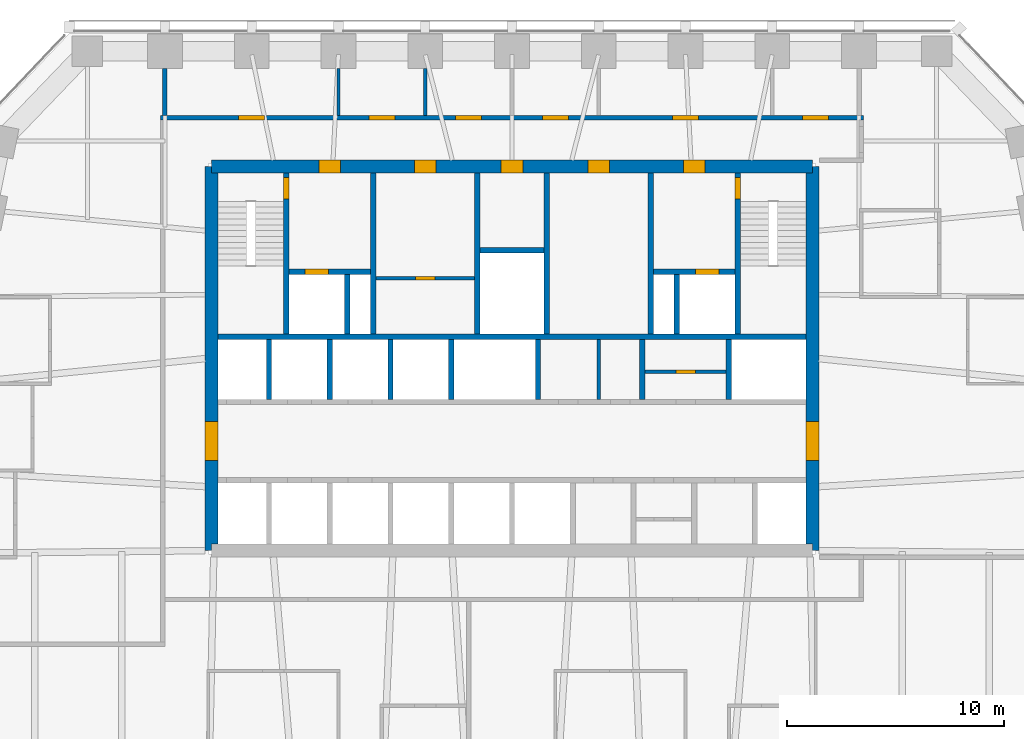
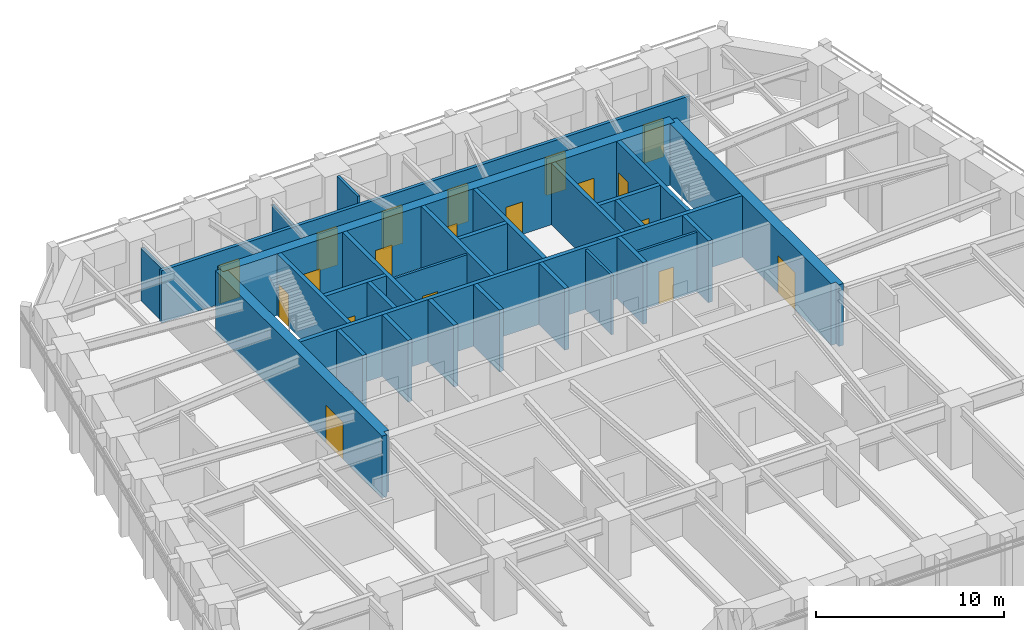
# One storey, part 7 of 10: 29 walls, 19 doors, 19 openings.
"""IFC4 building model written with IfcOpenShell, lengths in metres."""

from ifc_helpers import new_model, si_unit, direction, frame, frame_2d, origin, place, context, subcontext, project, spatial, polyline, rectangle, outline, extrude, material, layer, layer_set, type_object, element, fill, save


model = new_model("IFC4")

# Units and contexts
model_context = context("Model", 3, precision=1e-05, world=origin(), true_north=direction((0.0, 1.0)))
body_context = subcontext(model_context, "Body", "Model", "MODEL_VIEW")
ifc_project = project(units=[si_unit("LENGTHUNIT", "METRE"), si_unit("AREAUNIT", "SQUARE_METRE"), si_unit("VOLUMEUNIT", "CUBIC_METRE"), si_unit("PLANEANGLEUNIT", "RADIAN"), si_unit("MASSUNIT", "GRAM", prefix="KILO")], contexts=[model_context])

# Site, building, storey
site_placement = place(None, origin())
site = spatial("IfcSite", under=ifc_project, at=site_placement, CompositionType="ELEMENT")
building_placement = place(site_placement, origin())
building = spatial("IfcBuilding", under=site, at=building_placement, Name="Isbrekke Arena Tower", CompositionType="ELEMENT")
storey_placement = place(building_placement, frame((0.0, 0.0, 226.0)))
storey = spatial("IfcBuildingStorey", under=building, at=storey_placement, Name="L52", CompositionType="ELEMENT", Elevation=226.0)

# Wall, opening, door
ifc_material_1 = material(Name="Concrete B55 (C55/67)", Category="concrete")
ifc_layer_1 = layer(ifc_material_1, 0.60009765625)
ifc_layer_set_1 = layer_set([ifc_layer_1], Name="CW4 CORE WALL 600")
wall_type_1 = type_object("IfcWallType", Name="CW4 CORE WALL 600", PredefinedType="SHEAR", material=ifc_layer_set_1)
wall_1_placement = place(storey_placement, frame((13.85009765625, 6.14990234375, 0.0), z_axis=(0.0, 0.0, 1.0), x_axis=(0.0, 1.0, 0.0)))
wall_1 = element("IfcWall", 1, at=wall_1_placement, inside=storey, type_object=wall_type_1, Name="Core wall E L52", PredefinedType="SHEAR", context=body_context, shape_type="SweptSolid", body=[
    extrude(outline(polyline([(0.0, -0.300048828125), (17.7001953125, -0.300048828125), (17.7001953125, 0.0), (17.400146484375, 0.0), (17.400146484375, 0.300048828125), (0.300048828125, 0.300048828125), (0.300048828125, 0.0), (0.0, 0.0), (0.0, -0.300048828125)])), origin(), (0.0, 0.0, 1.0), 4.0),
])
opening_1_placement = place(wall_1_placement, frame((4.14990234375, 0.0, 0.0)))
opening_1 = element("IfcOpeningElement", 2, at=opening_1_placement, cuts=wall_1, Name="Opening D1", PredefinedType="OPENING", context=body_context, shape_type="SweptSolid", body=[
    extrude(rectangle(XDim=1.800048828125, YDim=2.39990234375, at=frame_2d((0.89990234375, 1.199951171875))), frame((0.0, 0.31494140625, 0.0), z_axis=(0.0, -1.0, 0.0), x_axis=(1.0, 0.0, 0.0)), (0.0, 0.0, 1.0), 0.6298828125),
])
ifc_material_2 = material(Name="Steel-framed glazed fire door", Category="steel")
door_type_1 = type_object("IfcDoorType", Name="D1 CORE LOBBY DOOR 1800 x 2400", OperationType="DOUBLE_DOOR_SINGLE_SWING", PredefinedType="DOOR", material=ifc_material_2)
door_1_placement = place(opening_1_placement, origin())
door_1 = element("IfcDoor", 3, at=door_1_placement, inside=storey, type_object=door_type_1, Name="D1 lift lobby door east L52", OperationType="DOUBLE_DOOR_SINGLE_SWING", OverallHeight=2.39990234375, OverallWidth=1.800048828125, PredefinedType="DOOR", context=body_context, shape_type="SweptSolid", body=[
    extrude(rectangle(XDim=1.800048828125, YDim=2.39990234375, at=frame_2d((0.89990234375, 1.199951171875))), frame((0.0, 0.2998046875, 0.0), z_axis=(0.0, -1.0, 0.0), x_axis=(1.0, 0.0, 0.0)), (0.0, 0.0, 1.0), 0.599609375),
])
fill(opening_1, door_1)

# Wall, openings, doors
wall_2_placement = place(storey_placement, frame((13.85009765625, 23.85009765625, 0.0), z_axis=(0.0, 0.0, 1.0), x_axis=(-1.0, 0.0, 0.0)))
wall_2 = element("IfcWall", 4, at=wall_2_placement, inside=storey, type_object=wall_type_1, Name="Core wall N L52", PredefinedType="SHEAR", context=body_context, shape_type="SweptSolid", body=[
    extrude(rectangle(XDim=27.7001953125, YDim=0.60009765625, at=frame_2d((13.85009765625, 0.0))), origin(), (0.0, 0.0, 1.0), 4.0),
])
opening_2_placement = place(wall_2_placement, frame((21.75, 0.0, 0.0)))
opening_2 = element("IfcOpeningElement", 5, at=opening_2_placement, cuts=wall_2, Name="Opening D3", PredefinedType="OPENING", context=body_context, shape_type="SweptSolid", body=[
    extrude(rectangle(XDim=1.0, YDim=2.10009765625, at=frame_2d((0.5, 1.050048828125))), frame((0.0, 0.31494140625, 0.0), z_axis=(0.0, -1.0, 0.0), x_axis=(1.0, 0.0, 0.0)), (0.0, 0.0, 1.0), 0.6298828125),
])
opening_3_placement = place(wall_2_placement, frame((4.949951171875, 0.0, 0.0)))
opening_3 = element("IfcOpeningElement", 6, at=opening_3_placement, cuts=wall_2, Name="Opening D3", PredefinedType="OPENING", context=body_context, shape_type="SweptSolid", body=[
    extrude(rectangle(XDim=1.0, YDim=2.10009765625, at=frame_2d((0.5, 1.050048828125))), frame((0.0, 0.31494140625, 0.0), z_axis=(0.0, -1.0, 0.0), x_axis=(1.0, 0.0, 0.0)), (0.0, 0.0, 1.0), 0.6298828125),
])
opening_4_placement = place(wall_2_placement, frame((17.35009765625, 0.0, 0.0)))
opening_4 = element("IfcOpeningElement", 7, at=opening_4_placement, cuts=wall_2, Name="Opening D4", PredefinedType="OPENING", context=body_context, shape_type="SweptSolid", body=[
    extrude(rectangle(XDim=1.0, YDim=2.10009765625, at=frame_2d((0.5, 1.050048828125))), frame((0.0, 0.31494140625, 0.0), z_axis=(0.0, -1.0, 0.0), x_axis=(1.0, 0.0, 0.0)), (0.0, 0.0, 1.0), 0.6298828125),
])
opening_5_placement = place(wall_2_placement, frame((13.35009765625, 0.0, 0.0)))
opening_5 = element("IfcOpeningElement", 8, at=opening_5_placement, cuts=wall_2, Name="Opening D4", PredefinedType="OPENING", context=body_context, shape_type="SweptSolid", body=[
    extrude(rectangle(XDim=1.0, YDim=2.10009765625, at=frame_2d((0.5, 1.050048828125))), frame((0.0, 0.31494140625, 0.0), z_axis=(0.0, -1.0, 0.0), x_axis=(1.0, 0.0, 0.0)), (0.0, 0.0, 1.0), 0.6298828125),
])
opening_6_placement = place(wall_2_placement, frame((9.35009765625, 0.0, 0.0)))
opening_6 = element("IfcOpeningElement", 9, at=opening_6_placement, cuts=wall_2, Name="Opening D4", PredefinedType="OPENING", context=body_context, shape_type="SweptSolid", body=[
    extrude(rectangle(XDim=1.0, YDim=2.10009765625, at=frame_2d((0.5, 1.050048828125))), frame((0.0, 0.31494140625, 0.0), z_axis=(0.0, -1.0, 0.0), x_axis=(1.0, 0.0, 0.0)), (0.0, 0.0, 1.0), 0.6298828125),
])
ifc_material_3 = material(Name="Steel fire door", Category="steel")
door_type_2 = type_object("IfcDoorType", Name="D3 FIRE LOBBY DOOR 1000 x 2100", OperationType="SINGLE_SWING_RIGHT", PredefinedType="DOOR", material=ifc_material_3)
door_2_placement = place(opening_2_placement, origin())
door_2 = element("IfcDoor", 10, at=door_2_placement, inside=storey, type_object=door_type_2, Name="D3 fire-fighting lobby door L52", OperationType="SINGLE_SWING_RIGHT", OverallHeight=2.10009765625, OverallWidth=1.0, PredefinedType="DOOR", context=body_context, shape_type="SweptSolid", body=[
    extrude(rectangle(XDim=1.0, YDim=2.10009765625, at=frame_2d((0.5, 1.050048828125))), frame((0.0, 0.2998046875, 0.0), z_axis=(0.0, -1.0, 0.0), x_axis=(1.0, 0.0, 0.0)), (0.0, 0.0, 1.0), 0.599609375),
])
fill(opening_2, door_2)
door_3_placement = place(opening_3_placement, origin())
door_3 = element("IfcDoor", 11, at=door_3_placement, inside=storey, type_object=door_type_2, Name="D3 fire-fighting lobby door L52", OperationType="SINGLE_SWING_RIGHT", OverallHeight=2.10009765625, OverallWidth=1.0, PredefinedType="DOOR", context=body_context, shape_type="SweptSolid", body=[
    extrude(rectangle(XDim=1.0, YDim=2.10009765625, at=frame_2d((0.5, 1.050048828125))), frame((0.0, 0.2998046875, 0.0), z_axis=(0.0, -1.0, 0.0), x_axis=(1.0, 0.0, 0.0)), (0.0, 0.0, 1.0), 0.599609375),
])
fill(opening_3, door_3)
ifc_material_4 = material(Name="Timber door", Category="wood")
door_type_3 = type_object("IfcDoorType", Name="D4 WC DOOR 1000 x 2100", OperationType="SINGLE_SWING_LEFT", PredefinedType="DOOR", material=ifc_material_4)
door_4_placement = place(opening_4_placement, origin())
door_4 = element("IfcDoor", 12, at=door_4_placement, inside=storey, type_object=door_type_3, Name="D4 wc female door L52", OperationType="SINGLE_SWING_LEFT", OverallHeight=2.10009765625, OverallWidth=1.0, PredefinedType="DOOR", context=body_context, shape_type="SweptSolid", body=[
    extrude(rectangle(XDim=1.0, YDim=2.10009765625, at=frame_2d((0.5, 1.050048828125))), frame((0.0, 0.2998046875, 0.0), z_axis=(0.0, -1.0, 0.0), x_axis=(1.0, 0.0, 0.0)), (0.0, 0.0, 1.0), 0.599609375),
])
fill(opening_4, door_4)
door_5_placement = place(opening_5_placement, origin())
door_5 = element("IfcDoor", 13, at=door_5_placement, inside=storey, type_object=door_type_3, Name="D4 accessible wc door L52", OperationType="SINGLE_SWING_LEFT", OverallHeight=2.10009765625, OverallWidth=1.0, PredefinedType="DOOR", context=body_context, shape_type="SweptSolid", body=[
    extrude(rectangle(XDim=1.0, YDim=2.10009765625, at=frame_2d((0.5, 1.050048828125))), frame((0.0, 0.2998046875, 0.0), z_axis=(0.0, -1.0, 0.0), x_axis=(1.0, 0.0, 0.0)), (0.0, 0.0, 1.0), 0.599609375),
])
fill(opening_5, door_5)
door_6_placement = place(opening_6_placement, origin())
door_6 = element("IfcDoor", 14, at=door_6_placement, inside=storey, type_object=door_type_3, Name="D4 wc male door L52", OperationType="SINGLE_SWING_LEFT", OverallHeight=2.10009765625, OverallWidth=1.0, PredefinedType="DOOR", context=body_context, shape_type="SweptSolid", body=[
    extrude(rectangle(XDim=1.0, YDim=2.10009765625, at=frame_2d((0.5, 1.050048828125))), frame((0.0, 0.2998046875, 0.0), z_axis=(0.0, -1.0, 0.0), x_axis=(1.0, 0.0, 0.0)), (0.0, 0.0, 1.0), 0.599609375),
])
fill(opening_6, door_6)

# Wall, opening, door
wall_3_placement = place(storey_placement, frame((-13.85009765625, 23.85009765625, 0.0), z_axis=(0.0, 0.0, 1.0), x_axis=(0.0, -1.0, 0.0)))
wall_3 = element("IfcWall", 15, at=wall_3_placement, inside=storey, type_object=wall_type_1, Name="Core wall W L52", PredefinedType="SHEAR", context=body_context, shape_type="SweptSolid", body=[
    extrude(outline(polyline([(0.0, -0.300048828125), (17.7001953125, -0.300048828125), (17.7001953125, 0.0), (17.400146484375, 0.0), (17.400146484375, 0.300048828125), (0.300048828125, 0.300048828125), (0.300048828125, 0.0), (0.0, 0.0), (0.0, -0.300048828125)])), origin(), (0.0, 0.0, 1.0), 4.0),
])
opening_7_placement = place(wall_3_placement, frame((11.75, 0.0, 0.0)))
opening_7 = element("IfcOpeningElement", 16, at=opening_7_placement, cuts=wall_3, Name="Opening D1", PredefinedType="OPENING", context=body_context, shape_type="SweptSolid", body=[
    extrude(rectangle(XDim=1.800048828125, YDim=2.39990234375, at=frame_2d((0.89990234375, 1.199951171875))), frame((0.0, 0.31494140625, 0.0), z_axis=(0.0, -1.0, 0.0), x_axis=(1.0, 0.0, 0.0)), (0.0, 0.0, 1.0), 0.6298828125),
])
door_7_placement = place(opening_7_placement, origin())
door_7 = element("IfcDoor", 17, at=door_7_placement, inside=storey, type_object=door_type_1, Name="D1 lift lobby door west L52", OperationType="DOUBLE_DOOR_SINGLE_SWING", OverallHeight=2.39990234375, OverallWidth=1.800048828125, PredefinedType="DOOR", context=body_context, shape_type="SweptSolid", body=[
    extrude(rectangle(XDim=1.800048828125, YDim=2.39990234375, at=frame_2d((0.89990234375, 1.199951171875))), frame((0.0, 0.2998046875, 0.0), z_axis=(0.0, -1.0, 0.0), x_axis=(1.0, 0.0, 0.0)), (0.0, 0.0, 1.0), 0.599609375),
])
fill(opening_7, door_7)

# Walls
ifc_material_5 = material(Name="Concrete B45 (C45/55)", Category="concrete")
ifc_layer_2 = layer(ifc_material_5, 0.25)
ifc_layer_set_2 = layer_set([ifc_layer_2], Name="CW6 SHAFT WALL 250")
wall_type_2 = type_object("IfcWallType", Name="CW6 SHAFT WALL 250", PredefinedType="SHEAR", material=ifc_layer_set_2)
wall_4_placement = place(storey_placement, frame((-13.550048828125, 16.0, 0.0), z_axis=(0.0, 0.0, 1.0), x_axis=(1.0, 0.0, 0.0)))
element("IfcWall", 18, at=wall_4_placement, inside=storey, type_object=wall_type_2, Name="Core wall NB L52", PredefinedType="SHEAR", context=body_context, shape_type="SweptSolid", body=[
    extrude(rectangle(XDim=27.10009765625, YDim=0.25, at=frame_2d((13.550048828125, 0.0))), origin(), (0.0, 0.0, 1.0), 4.0),
])
for number, where, z_axis, x_axis, name in (
    (19, (-11.199951171875, 13.125, 0.0), (0.0, 0.0, 1.0), (0.0, 1.0, 0.0), "Core wall SN01 L52"),
    (20, (-8.39990234375, 13.125, 0.0), (0.0, 0.0, 1.0), (0.0, 1.0, 0.0), "Core wall SN02 L52"),
    (21, (-5.60009765625, 13.125, 0.0), (0.0, 0.0, 1.0), (0.0, 1.0, 0.0), "Core wall SN03 L52"),
    (22, (-2.800048828125, 13.125, 0.0), (0.0, 0.0, 1.0), (0.0, 1.0, 0.0), "Core wall SN04 L52"),
    (23, (1.199951171875, 13.125, 0.0), (0.0, 0.0, 1.0), (0.0, 1.0, 0.0), "Core wall SN05 L52"),
    (24, (6.0, 13.125, 0.0), (0.0, 0.0, 1.0), (0.0, 1.0, 0.0), "Core wall SN06 L52"),
    (25, (10.0, 13.125, 0.0), (0.0, 0.0, 1.0), (0.0, 1.0, 0.0), "Core wall SN07 L52"),
):
    element("IfcWall", number, at=place(storey_placement, frame(where, z_axis=z_axis, x_axis=x_axis)), inside=storey, type_object=wall_type_2, Name=name, PredefinedType="SHEAR", context=body_context, shape_type="SweptSolid", body=[
        extrude(rectangle(XDim=2.75, YDim=0.25, at=frame_2d((1.375, 0.0))), origin(), (0.0, 0.0, 1.0), 4.0),
    ])

# Wall, opening, door
wall_5_placement = place(storey_placement, frame((-10.39990234375, 16.125, 0.0), z_axis=(0.0, 0.0, 1.0), x_axis=(0.0, 1.0, 0.0)))
wall_5 = element("IfcWall", 26, at=wall_5_placement, inside=storey, type_object=wall_type_2, Name="Core wall NV01 L52", PredefinedType="SHEAR", context=body_context, shape_type="SweptSolid", body=[
    extrude(rectangle(XDim=7.425048828125, YDim=0.25, at=frame_2d((3.71240234375, 0.0))), origin(), (0.0, 0.0, 1.0), 4.0),
])
opening_8_placement = place(wall_5_placement, frame((6.22509765625, 0.0, 0.0)))
opening_8 = element("IfcOpeningElement", 27, at=opening_8_placement, cuts=wall_5, Name="Opening D2", PredefinedType="OPENING", context=body_context, shape_type="SweptSolid", body=[
    extrude(rectangle(XDim=1.0, YDim=2.10009765625, at=frame_2d((0.5, 1.050048828125))), frame((0.0, 0.139892578125, 0.0), z_axis=(0.0, -1.0, 0.0), x_axis=(1.0, 0.0, 0.0)), (0.0, 0.0, 1.0), 0.27978515625),
])
ifc_material_6 = material(Name="Steel fire door", Category="steel")
door_type_4 = type_object("IfcDoorType", Name="D2 STAIR DOOR 1000 x 2100", OperationType="SINGLE_SWING_LEFT", PredefinedType="DOOR", material=ifc_material_6)
door_8_placement = place(opening_8_placement, origin())
door_8 = element("IfcDoor", 28, at=door_8_placement, inside=storey, type_object=door_type_4, Name="D2 stair door ST1 L52", OperationType="SINGLE_SWING_LEFT", OverallHeight=2.10009765625, OverallWidth=1.0, PredefinedType="DOOR", context=body_context, shape_type="SweptSolid", body=[
    extrude(rectangle(XDim=1.0, YDim=2.10009765625, at=frame_2d((0.5, 1.050048828125))), frame((0.0, 0.124755859375, 0.0), z_axis=(0.0, -1.0, 0.0), x_axis=(1.0, 0.0, 0.0)), (0.0, 0.0, 1.0), 0.24951171875),
])
fill(opening_8, door_8)

# Walls
for number, where, z_axis, x_axis, name in (
    (29, (-6.39990234375, 16.125, 0.0), (0.0, 0.0, 1.0), (0.0, 1.0, 0.0), "Core wall NV02 L52"),
    (30, (-1.60009765625, 16.125, 0.0), (0.0, 0.0, 1.0), (0.0, 1.0, 0.0), "Core wall NV03 L52"),
    (31, (1.60009765625, 16.125, 0.0), (0.0, 0.0, 1.0), (0.0, 1.0, 0.0), "Core wall NV04 L52"),
    (32, (6.39990234375, 16.125, 0.0), (0.0, 0.0, 1.0), (0.0, 1.0, 0.0), "Core wall NV05 L52"),
):
    element("IfcWall", number, at=place(storey_placement, frame(where, z_axis=z_axis, x_axis=x_axis)), inside=storey, type_object=wall_type_2, Name=name, PredefinedType="SHEAR", context=body_context, shape_type="SweptSolid", body=[
        extrude(rectangle(XDim=7.425048828125, YDim=0.25, at=frame_2d((3.71240234375, 0.0))), origin(), (0.0, 0.0, 1.0), 4.0),
    ])

# Wall, opening, door
wall_6_placement = place(storey_placement, frame((10.39990234375, 16.125, 0.0), z_axis=(0.0, 0.0, 1.0), x_axis=(0.0, 1.0, 0.0)))
wall_6 = element("IfcWall", 33, at=wall_6_placement, inside=storey, type_object=wall_type_2, Name="Core wall NV06 L52", PredefinedType="SHEAR", context=body_context, shape_type="SweptSolid", body=[
    extrude(rectangle(XDim=7.425048828125, YDim=0.25, at=frame_2d((3.71240234375, 0.0))), origin(), (0.0, 0.0, 1.0), 4.0),
])
opening_9_placement = place(wall_6_placement, frame((6.22509765625, 0.0, 0.0)))
opening_9 = element("IfcOpeningElement", 34, at=opening_9_placement, cuts=wall_6, Name="Opening D2", PredefinedType="OPENING", context=body_context, shape_type="SweptSolid", body=[
    extrude(rectangle(XDim=1.0, YDim=2.10009765625, at=frame_2d((0.5, 1.050048828125))), frame((0.0, 0.139892578125, 0.0), z_axis=(0.0, -1.0, 0.0), x_axis=(1.0, 0.0, 0.0)), (0.0, 0.0, 1.0), 0.27978515625),
])
door_9_placement = place(opening_9_placement, origin())
door_9 = element("IfcDoor", 35, at=door_9_placement, inside=storey, type_object=door_type_4, Name="D2 stair door ST2 L52", OperationType="SINGLE_SWING_LEFT", OverallHeight=2.10009765625, OverallWidth=1.0, PredefinedType="DOOR", context=body_context, shape_type="SweptSolid", body=[
    extrude(rectangle(XDim=1.0, YDim=2.10009765625, at=frame_2d((0.5, 1.050048828125))), frame((0.0, 0.124755859375, 0.0), z_axis=(0.0, -1.0, 0.0), x_axis=(1.0, 0.0, 0.0)), (0.0, 0.0, 1.0), 0.24951171875),
])
fill(opening_9, door_9)

wall_7_placement = place(storey_placement, frame((-10.27490234375, 19.0, 0.0), z_axis=(0.0, 0.0, 1.0), x_axis=(1.0, 0.0, 0.0)))
wall_7 = element("IfcWall", 36, at=wall_7_placement, inside=storey, type_object=wall_type_2, Name="Core wall NFW L52", PredefinedType="SHEAR", context=body_context, shape_type="SweptSolid", body=[
    extrude(rectangle(XDim=3.75, YDim=0.25, at=frame_2d((1.875, 0.0))), origin(), (0.0, 0.0, 1.0), 4.0),
])
opening_10_placement = place(wall_7_placement, frame((0.72509765625, 0.0, 0.0)))
opening_10 = element("IfcOpeningElement", 37, at=opening_10_placement, cuts=wall_7, Name="Opening LD2", PredefinedType="OPENING", context=body_context, shape_type="SweptSolid", body=[
    extrude(rectangle(XDim=1.10009765625, YDim=2.10009765625, at=frame_2d((0.550048828125, 1.050048828125))), frame((0.0, 0.139892578125, 0.0), z_axis=(0.0, -1.0, 0.0), x_axis=(1.0, 0.0, 0.0)), (0.0, 0.0, 1.0), 0.27978515625),
])
ifc_material_7 = material(Name="Stainless steel lift landing door", Category="steel")
door_type_5 = type_object("IfcDoorType", Name="LD2 FIRE-FIGHTING LIFT LANDING DOOR 1100 x 2100", OperationType="SLIDING_TO_RIGHT", PredefinedType="DOOR", material=ifc_material_7)
door_10_placement = place(opening_10_placement, origin())
door_10 = element("IfcDoor", 38, at=door_10_placement, inside=storey, type_object=door_type_5, Name="LD2 lift landing door LF L52", OperationType="SLIDING_TO_RIGHT", OverallHeight=2.10009765625, OverallWidth=1.10009765625, PredefinedType="DOOR", context=body_context, shape_type="SweptSolid", body=[
    extrude(rectangle(XDim=1.10009765625, YDim=2.10009765625, at=frame_2d((0.550048828125, 1.050048828125))), frame((0.0, 0.124755859375, 0.0), z_axis=(0.0, -1.0, 0.0), x_axis=(1.0, 0.0, 0.0)), (0.0, 0.0, 1.0), 0.24951171875),
])
fill(opening_10, door_10)

wall_8_placement = place(storey_placement, frame((6.52490234375, 19.0, 0.0), z_axis=(0.0, 0.0, 1.0), x_axis=(1.0, 0.0, 0.0)))
wall_8 = element("IfcWall", 39, at=wall_8_placement, inside=storey, type_object=wall_type_2, Name="Core wall NFE L52", PredefinedType="SHEAR", context=body_context, shape_type="SweptSolid", body=[
    extrude(rectangle(XDim=3.75, YDim=0.25, at=frame_2d((1.875, 0.0))), origin(), (0.0, 0.0, 1.0), 4.0),
])
opening_11_placement = place(wall_8_placement, frame((1.925048828125, 0.0, 0.0)))
opening_11 = element("IfcOpeningElement", 40, at=opening_11_placement, cuts=wall_8, Name="Opening LD2", PredefinedType="OPENING", context=body_context, shape_type="SweptSolid", body=[
    extrude(rectangle(XDim=1.10009765625, YDim=2.10009765625, at=frame_2d((0.550048828125, 1.050048828125))), frame((0.0, 0.139892578125, 0.0), z_axis=(0.0, -1.0, 0.0), x_axis=(1.0, 0.0, 0.0)), (0.0, 0.0, 1.0), 0.27978515625),
])
door_11_placement = place(opening_11_placement, origin())
door_11 = element("IfcDoor", 41, at=door_11_placement, inside=storey, type_object=door_type_5, Name="LD2 lift landing door LF L52", OperationType="SLIDING_TO_RIGHT", OverallHeight=2.10009765625, OverallWidth=1.10009765625, PredefinedType="DOOR", context=body_context, shape_type="SweptSolid", body=[
    extrude(rectangle(XDim=1.10009765625, YDim=2.10009765625, at=frame_2d((0.550048828125, 1.050048828125))), frame((0.0, 0.124755859375, 0.0), z_axis=(0.0, -1.0, 0.0), x_axis=(1.0, 0.0, 0.0)), (0.0, 0.0, 1.0), 0.24951171875),
])
fill(opening_11, door_11)

# Walls
for number, where, z_axis, x_axis, name in (
    (42, (-7.60009765625, 16.125, 0.0), (0.0, 0.0, 1.0), (0.0, 1.0, 0.0), "Core wall NFS1 L52"),
    (43, (7.60009765625, 16.125, 0.0), (0.0, 0.0, 1.0), (0.0, 1.0, 0.0), "Core wall NFS2 L52"),
):
    element("IfcWall", number, at=place(storey_placement, frame(where, z_axis=z_axis, x_axis=x_axis)), inside=storey, type_object=wall_type_2, Name=name, PredefinedType="SHEAR", context=body_context, shape_type="SweptSolid", body=[
        extrude(rectangle(XDim=2.75, YDim=0.25, at=frame_2d((1.375, 0.0))), origin(), (0.0, 0.0, 1.0), 4.0),
    ])
wall_9_placement = place(storey_placement, frame((-1.47509765625, 20.0, 0.0), z_axis=(0.0, 0.0, 1.0), x_axis=(1.0, 0.0, 0.0)))
element("IfcWall", 44, at=wall_9_placement, inside=storey, type_object=wall_type_2, Name="Core wall NWC L52", PredefinedType="SHEAR", context=body_context, shape_type="SweptSolid", body=[
    extrude(rectangle(XDim=2.9501953125, YDim=0.25, at=frame_2d((1.47509765625, 0.0))), origin(), (0.0, 0.0, 1.0), 4.0),
])
ifc_material_8 = material(Name="Gypsum board partition on steel studs", Category="steel")
ifc_layer_3 = layer(ifc_material_8, 0.14990234375)
ifc_layer_set_3 = layer_set([ifc_layer_3], Name="IW1 PARTITION 150")
wall_type_3 = type_object("IfcWallType", Name="IW1 PARTITION 150", PredefinedType="PARTITIONING", material=ifc_layer_set_3)
wall_10_placement = place(storey_placement, frame((-8.0, 26.199951171875, 0.0), z_axis=(0.0, 0.0, 1.0), x_axis=(0.0, 1.0, 0.0)))
element("IfcWall", 45, at=wall_10_placement, inside=storey, type_object=wall_type_3, Name="IW1 partition 150 L52", PredefinedType="PARTITIONING", context=body_context, shape_type="SweptSolid", body=[
    extrude(rectangle(XDim=2.175048828125, YDim=0.14990234375, at=frame_2d((1.08740234375, 0.0))), origin(), (0.0, 0.0, 1.0), 3.39990234375),
])
wall_11_placement = place(storey_placement, frame((-4.0, 26.199951171875, 0.0), z_axis=(0.0, 0.0, 1.0), x_axis=(0.0, 1.0, 0.0)))
element("IfcWall", 46, at=wall_11_placement, inside=storey, type_object=wall_type_3, Name="IW1 partition 150 L52", PredefinedType="PARTITIONING", context=body_context, shape_type="SweptSolid", body=[
    extrude(rectangle(XDim=2.175048828125, YDim=0.14990234375, at=frame_2d((1.08740234375, 0.0))), origin(), (0.0, 0.0, 1.0), 3.85009765625),
])

# Wall, openings, doors
ifc_material_9 = material(Name="Gypsum board fire-cell wall on steel studs, two layers each side", Category="steel")
ifc_layer_4 = layer(ifc_material_9, 0.199951171875)
ifc_layer_set_4 = layer_set([ifc_layer_4], Name="IW3 FIRE-CELL WALL 200")
wall_type_4 = type_object("IfcWallType", Name="IW3 FIRE-CELL WALL 200", PredefinedType="PARTITIONING", material=ifc_layer_set_4)
wall_12_placement = place(storey_placement, frame((-16.199951171875, 26.10009765625, 0.0), z_axis=(0.0, 0.0, 1.0), x_axis=(1.0, 0.0, 0.0)))
wall_12 = element("IfcWall", 47, at=wall_12_placement, inside=storey, type_object=wall_type_4, Name="IW3 fire-cell wall 200 L52", PredefinedType="PARTITIONING", context=body_context, shape_type="SweptSolid", body=[
    extrude(rectangle(XDim=32.39990234375, YDim=0.199951171875, at=frame_2d((16.199951171875, 0.0))), origin(), (0.0, 0.0, 1.0), 3.39990234375),
])
opening_12_placement = place(wall_12_placement, frame((3.60009765625, 0.0, 0.0)))
opening_12 = element("IfcOpeningElement", 48, at=opening_12_placement, cuts=wall_12, Name="Opening D12", PredefinedType="OPENING", context=body_context, shape_type="SweptSolid", body=[
    extrude(rectangle(XDim=1.199951171875, YDim=2.39990234375, at=frame_2d((0.60009765625, 1.199951171875))), frame((0.0, 0.11474609375, 0.0), z_axis=(0.0, -1.0, 0.0), x_axis=(1.0, 0.0, 0.0)), (0.0, 0.0, 1.0), 0.229736328125),
])
opening_13_placement = place(wall_12_placement, frame((9.60009765625, 0.0, 0.0)))
opening_13 = element("IfcOpeningElement", 49, at=opening_13_placement, cuts=wall_12, Name="Opening D12", PredefinedType="OPENING", context=body_context, shape_type="SweptSolid", body=[
    extrude(rectangle(XDim=1.199951171875, YDim=2.39990234375, at=frame_2d((0.60009765625, 1.199951171875))), frame((0.0, 0.11474609375, 0.0), z_axis=(0.0, -1.0, 0.0), x_axis=(1.0, 0.0, 0.0)), (0.0, 0.0, 1.0), 0.229736328125),
])
opening_14_placement = place(wall_12_placement, frame((13.60009765625, 0.0, 0.0)))
opening_14 = element("IfcOpeningElement", 50, at=opening_14_placement, cuts=wall_12, Name="Opening D12", PredefinedType="OPENING", context=body_context, shape_type="SweptSolid", body=[
    extrude(rectangle(XDim=1.199951171875, YDim=2.39990234375, at=frame_2d((0.60009765625, 1.199951171875))), frame((0.0, 0.11474609375, 0.0), z_axis=(0.0, -1.0, 0.0), x_axis=(1.0, 0.0, 0.0)), (0.0, 0.0, 1.0), 0.229736328125),
])
opening_15_placement = place(wall_12_placement, frame((17.60009765625, 0.0, 0.0)))
opening_15 = element("IfcOpeningElement", 51, at=opening_15_placement, cuts=wall_12, Name="Opening D12", PredefinedType="OPENING", context=body_context, shape_type="SweptSolid", body=[
    extrude(rectangle(XDim=1.199951171875, YDim=2.39990234375, at=frame_2d((0.60009765625, 1.199951171875))), frame((0.0, 0.11474609375, 0.0), z_axis=(0.0, -1.0, 0.0), x_axis=(1.0, 0.0, 0.0)), (0.0, 0.0, 1.0), 0.229736328125),
])
opening_16_placement = place(wall_12_placement, frame((23.60009765625, 0.0, 0.0)))
opening_16 = element("IfcOpeningElement", 52, at=opening_16_placement, cuts=wall_12, Name="Opening D12", PredefinedType="OPENING", context=body_context, shape_type="SweptSolid", body=[
    extrude(rectangle(XDim=1.199951171875, YDim=2.39990234375, at=frame_2d((0.60009765625, 1.199951171875))), frame((0.0, 0.11474609375, 0.0), z_axis=(0.0, -1.0, 0.0), x_axis=(1.0, 0.0, 0.0)), (0.0, 0.0, 1.0), 0.229736328125),
])
opening_17_placement = place(wall_12_placement, frame((29.60009765625, 0.0, 0.0)))
opening_17 = element("IfcOpeningElement", 53, at=opening_17_placement, cuts=wall_12, Name="Opening D12", PredefinedType="OPENING", context=body_context, shape_type="SweptSolid", body=[
    extrude(rectangle(XDim=1.199951171875, YDim=2.39990234375, at=frame_2d((0.60009765625, 1.199951171875))), frame((0.0, 0.11474609375, 0.0), z_axis=(0.0, -1.0, 0.0), x_axis=(1.0, 0.0, 0.0)), (0.0, 0.0, 1.0), 0.229736328125),
])
ifc_material_10 = material(Name="Timber fire door with vision panel", Category="wood")
door_type_6 = type_object("IfcDoorType", Name="D12 SUITE ENTRANCE DOOR 1200 x 2400", OperationType="SINGLE_SWING_LEFT", PredefinedType="DOOR", material=ifc_material_10)
door_12_placement = place(opening_12_placement, origin())
door_12 = element("IfcDoor", 54, at=door_12_placement, inside=storey, type_object=door_type_6, Name="D12 meeting room door L52", OperationType="SINGLE_SWING_LEFT", OverallHeight=2.39990234375, OverallWidth=1.199951171875, PredefinedType="DOOR", context=body_context, shape_type="SweptSolid", body=[
    extrude(rectangle(XDim=1.199951171875, YDim=2.39990234375, at=frame_2d((0.60009765625, 1.199951171875))), frame((0.0, 0.099609375, 0.0), z_axis=(0.0, -1.0, 0.0), x_axis=(1.0, 0.0, 0.0)), (0.0, 0.0, 1.0), 0.199462890625),
])
fill(opening_12, door_12)
door_13_placement = place(opening_13_placement, origin())
door_13 = element("IfcDoor", 55, at=door_13_placement, inside=storey, type_object=door_type_6, Name="D12 print room door L52", OperationType="SINGLE_SWING_LEFT", OverallHeight=2.39990234375, OverallWidth=1.199951171875, PredefinedType="DOOR", context=body_context, shape_type="SweptSolid", body=[
    extrude(rectangle(XDim=1.199951171875, YDim=2.39990234375, at=frame_2d((0.60009765625, 1.199951171875))), frame((0.0, 0.099609375, 0.0), z_axis=(0.0, -1.0, 0.0), x_axis=(1.0, 0.0, 0.0)), (0.0, 0.0, 1.0), 0.199462890625),
])
fill(opening_13, door_13)
door_14_placement = place(opening_14_placement, origin())
door_14 = element("IfcDoor", 56, at=door_14_placement, inside=storey, type_object=door_type_6, Name="D12 focus room door L52", OperationType="SINGLE_SWING_LEFT", OverallHeight=2.39990234375, OverallWidth=1.199951171875, PredefinedType="DOOR", context=body_context, shape_type="SweptSolid", body=[
    extrude(rectangle(XDim=1.199951171875, YDim=2.39990234375, at=frame_2d((0.60009765625, 1.199951171875))), frame((0.0, 0.099609375, 0.0), z_axis=(0.0, -1.0, 0.0), x_axis=(1.0, 0.0, 0.0)), (0.0, 0.0, 1.0), 0.199462890625),
])
fill(opening_14, door_14)
door_15_placement = place(opening_15_placement, origin())
door_15 = element("IfcDoor", 57, at=door_15_placement, inside=storey, type_object=door_type_6, Name="D12 focus room door L52", OperationType="SINGLE_SWING_LEFT", OverallHeight=2.39990234375, OverallWidth=1.199951171875, PredefinedType="DOOR", context=body_context, shape_type="SweptSolid", body=[
    extrude(rectangle(XDim=1.199951171875, YDim=2.39990234375, at=frame_2d((0.60009765625, 1.199951171875))), frame((0.0, 0.099609375, 0.0), z_axis=(0.0, -1.0, 0.0), x_axis=(1.0, 0.0, 0.0)), (0.0, 0.0, 1.0), 0.199462890625),
])
fill(opening_15, door_15)
door_16_placement = place(opening_16_placement, origin())
door_16 = element("IfcDoor", 58, at=door_16_placement, inside=storey, type_object=door_type_6, Name="D12 meeting room door L52", OperationType="SINGLE_SWING_LEFT", OverallHeight=2.39990234375, OverallWidth=1.199951171875, PredefinedType="DOOR", context=body_context, shape_type="SweptSolid", body=[
    extrude(rectangle(XDim=1.199951171875, YDim=2.39990234375, at=frame_2d((0.60009765625, 1.199951171875))), frame((0.0, 0.099609375, 0.0), z_axis=(0.0, -1.0, 0.0), x_axis=(1.0, 0.0, 0.0)), (0.0, 0.0, 1.0), 0.199462890625),
])
fill(opening_16, door_16)
door_17_placement = place(opening_17_placement, origin())
door_17 = element("IfcDoor", 59, at=door_17_placement, inside=storey, type_object=door_type_6, Name="D12 store door L52", OperationType="SINGLE_SWING_LEFT", OverallHeight=2.39990234375, OverallWidth=1.199951171875, PredefinedType="DOOR", context=body_context, shape_type="SweptSolid", body=[
    extrude(rectangle(XDim=1.199951171875, YDim=2.39990234375, at=frame_2d((0.60009765625, 1.199951171875))), frame((0.0, 0.099609375, 0.0), z_axis=(0.0, -1.0, 0.0), x_axis=(1.0, 0.0, 0.0)), (0.0, 0.0, 1.0), 0.199462890625),
])
fill(opening_17, door_17)

# Wall
wall_13_placement = place(storey_placement, frame((-16.0, 26.199951171875, 0.0), z_axis=(0.0, 0.0, 1.0), x_axis=(0.0, 1.0, 0.0)))
element("IfcWall", 60, at=wall_13_placement, inside=storey, type_object=wall_type_4, Name="IW3 fire-cell wall 200 L52", PredefinedType="PARTITIONING", context=body_context, shape_type="SweptSolid", body=[
    extrude(rectangle(XDim=2.175048828125, YDim=0.199951171875, at=frame_2d((1.08740234375, 0.0))), origin(), (0.0, 0.0, 1.0), 3.39990234375),
])

# Wall, opening, door
ifc_material_11 = material(Name="Gypsum board fire-rated partition on steel studs, two layers each side", Category="steel")
ifc_layer_5 = layer(ifc_material_11, 0.14990234375)
ifc_layer_set_5 = layer_set([ifc_layer_5], Name="IW5 FIRE-RATED PARTITION 150")
wall_type_5 = type_object("IfcWallType", Name="IW5 FIRE-RATED PARTITION 150", PredefinedType="PARTITIONING", material=ifc_layer_set_5)
wall_14_placement = place(storey_placement, frame((-6.27490234375, 18.699951171875, 0.0), z_axis=(0.0, 0.0, 1.0), x_axis=(1.0, 0.0, 0.0)))
wall_14 = element("IfcWall", 61, at=wall_14_placement, inside=storey, type_object=wall_type_5, Name="IW5 fire-rated partition L52 cleaner's store F", PredefinedType="PARTITIONING", context=body_context, shape_type="SweptSolid", body=[
    extrude(rectangle(XDim=4.5498046875, YDim=0.14990234375, at=frame_2d((2.27490234375, 0.0))), origin(), (0.0, 0.0, 1.0), 3.85009765625),
])
opening_18_placement = place(wall_14_placement, frame((1.824951171875, 0.0, 0.0)))
opening_18 = element("IfcOpeningElement", 62, at=opening_18_placement, cuts=wall_14, Name="Opening D5", PredefinedType="OPENING", context=body_context, shape_type="SweptSolid", body=[
    extrude(rectangle(XDim=0.89990234375, YDim=2.10009765625, at=frame_2d((0.449951171875, 1.050048828125))), frame((0.0, 0.08984375, 0.0), z_axis=(0.0, -1.0, 0.0), x_axis=(1.0, 0.0, 0.0)), (0.0, 0.0, 1.0), 0.1796875),
])
ifc_material_12 = material(Name="Steel fire door", Category="steel")
door_type_7 = type_object("IfcDoorType", Name="D5 SERVICE DOOR 900 x 2100", OperationType="SINGLE_SWING_LEFT", PredefinedType="DOOR", material=ifc_material_12)
door_18_placement = place(opening_18_placement, origin())
door_18 = element("IfcDoor", 63, at=door_18_placement, inside=storey, type_object=door_type_7, Name="D5 cleaner's store door L52", OperationType="SINGLE_SWING_LEFT", OverallHeight=2.10009765625, OverallWidth=0.89990234375, PredefinedType="DOOR", context=body_context, shape_type="SweptSolid", body=[
    extrude(rectangle(XDim=0.89990234375, YDim=2.10009765625, at=frame_2d((0.449951171875, 1.050048828125))), frame((0.0, 0.07470703125, 0.0), z_axis=(0.0, -1.0, 0.0), x_axis=(1.0, 0.0, 0.0)), (0.0, 0.0, 1.0), 0.1494140625),
])
fill(opening_18, door_18)

# Wall
wall_15_placement = place(storey_placement, frame((4.0, 13.125, 0.0), z_axis=(0.0, 0.0, 1.0), x_axis=(0.0, 1.0, 0.0)))
element("IfcWall", 64, at=wall_15_placement, inside=storey, type_object=wall_type_5, Name="IW5 fire-rated partition L52 core service rooms 1", PredefinedType="PARTITIONING", context=body_context, shape_type="SweptSolid", body=[
    extrude(rectangle(XDim=2.75, YDim=0.14990234375, at=frame_2d((1.375, 0.0))), origin(), (0.0, 0.0, 1.0), 3.85009765625),
])

# Wall, opening, door
wall_16_placement = place(storey_placement, frame((6.125, 14.39990234375, 0.0), z_axis=(0.0, 0.0, 1.0), x_axis=(1.0, 0.0, 0.0)))
wall_16 = element("IfcWall", 65, at=wall_16_placement, inside=storey, type_object=wall_type_5, Name="IW5 fire-rated partition L52 core service rooms 2", PredefinedType="PARTITIONING", context=body_context, shape_type="SweptSolid", body=[
    extrude(rectangle(XDim=3.75, YDim=0.14990234375, at=frame_2d((1.875, 0.0))), origin(), (0.0, 0.0, 1.0), 3.85009765625),
])
opening_19_placement = place(wall_16_placement, frame((1.425048828125, 0.0, 0.0)))
opening_19 = element("IfcOpeningElement", 66, at=opening_19_placement, cuts=wall_16, Name="Opening D5", PredefinedType="OPENING", context=body_context, shape_type="SweptSolid", body=[
    extrude(rectangle(XDim=0.89990234375, YDim=2.10009765625, at=frame_2d((0.449951171875, 1.050048828125))), frame((0.0, 0.08984375, 0.0), z_axis=(0.0, -1.0, 0.0), x_axis=(1.0, 0.0, 0.0)), (0.0, 0.0, 1.0), 0.1796875),
])
door_19_placement = place(opening_19_placement, origin())
door_19 = element("IfcDoor", 67, at=door_19_placement, inside=storey, type_object=door_type_7, Name="D5 technical room door L52", OperationType="SINGLE_SWING_LEFT", OverallHeight=2.10009765625, OverallWidth=0.89990234375, PredefinedType="DOOR", context=body_context, shape_type="SweptSolid", body=[
    extrude(rectangle(XDim=0.89990234375, YDim=2.10009765625, at=frame_2d((0.449951171875, 1.050048828125))), frame((0.0, 0.07470703125, 0.0), z_axis=(0.0, -1.0, 0.0), x_axis=(1.0, 0.0, 0.0)), (0.0, 0.0, 1.0), 0.1494140625),
])
fill(opening_19, door_19)

save(model, "model.ifc")
